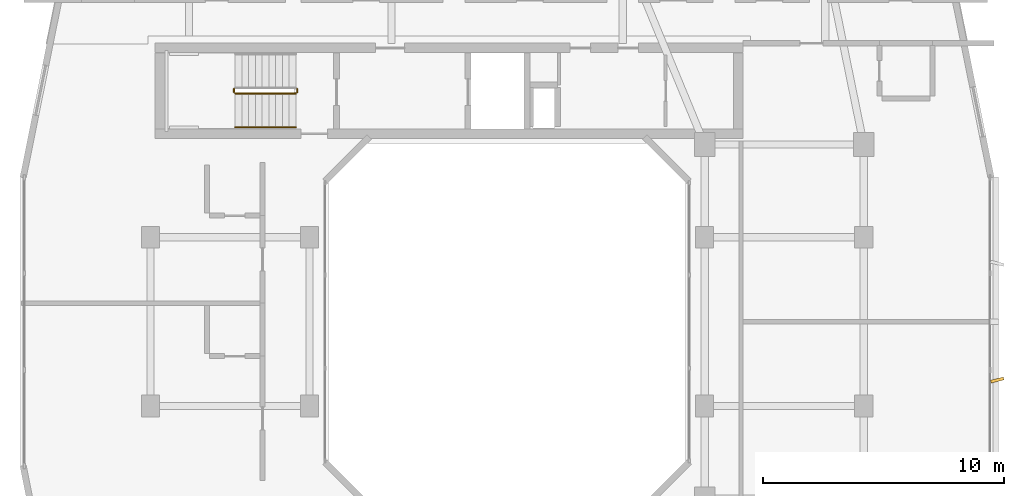
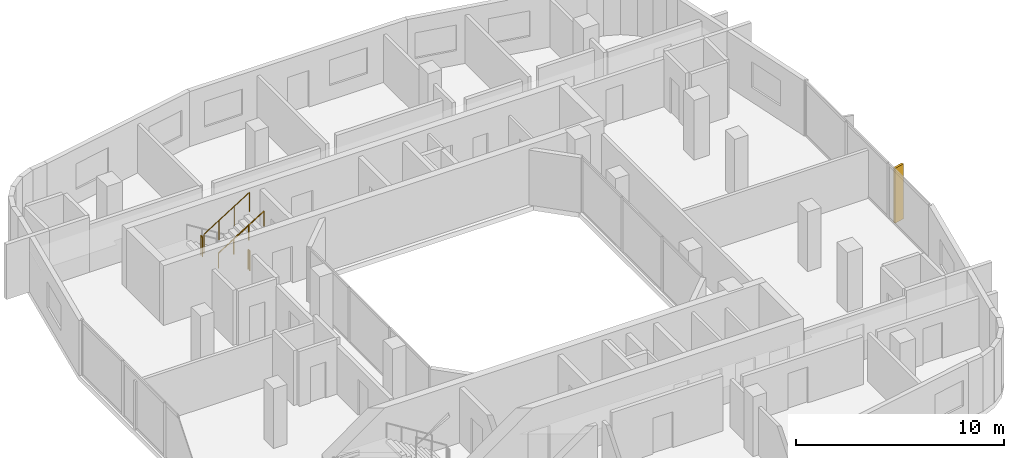
# One storey, part 11 of 12: 4 railings, 1 shading device.
"""IFC4 building model written with IfcOpenShell, lengths in metres."""

from ifc_helpers import new_model, si_unit, derived_unit, direction, frame, origin, origin_2d, place, context, subcontext, project, spatial, rectangle, circle, extrude, material, type_object, element, save


model = new_model("IFC4")

# Units and contexts
model_context = context("Model", 3, precision=1e-05, world=origin(), true_north=direction((0.0, 1.0)))
body_context = subcontext(model_context, "Body", "Model", "MODEL_VIEW")
ifc_project = project(units=[si_unit("LENGTHUNIT", "METRE"), si_unit("AREAUNIT", "SQUARE_METRE"), si_unit("VOLUMEUNIT", "CUBIC_METRE"), si_unit("PLANEANGLEUNIT", "RADIAN"), si_unit("MASSUNIT", "GRAM", prefix="KILO"), derived_unit("THERMALTRANSMITTANCEUNIT", [(si_unit("POWERUNIT", "WATT"), 1), (si_unit("LENGTHUNIT", "METRE"), -2), (si_unit("THERMODYNAMICTEMPERATUREUNIT", "KELVIN"), -1)])], contexts=[model_context])

# Site, building, storey
site_placement = place(None, origin())
site = spatial("IfcSite", under=ifc_project, at=site_placement, CompositionType="ELEMENT")
building_placement = place(site_placement, origin())
building = spatial("IfcBuilding", under=site, at=building_placement, Name="Kivonza Crest Hotel", CompositionType="ELEMENT")
storey_placement = place(building_placement, frame((0.0, 0.0, 166.0)))
storey = spatial("IfcBuildingStorey", under=building, at=storey_placement, Name="L45", CompositionType="ELEMENT", Elevation=166.0)

# Railings
ifc_material_1 = material(Name="Brushed stainless steel handrail", Category="steel")
railing_type_1 = type_object("IfcRailingType", Name="RL-HAND-900", PredefinedType="HANDRAIL", material=ifc_material_1)
railing_1_placement = place(storey_placement, frame((9.719970703125, 33.070068359375, 1.925048828125)))
element("IfcRailing", 1, at=railing_1_placement, inside=storey, type_object=railing_type_1, Name="L45 ST-T1-N stair handrail 2", PredefinedType="HANDRAIL", context=body_context, shape_type="SweptSolid", body=[
    extrude(circle(Radius=0.02392578125, at=origin_2d()), frame((0.0, 0.0, 0.8759765625), z_axis=(0.848007534815, 0.0, 0.529984170421), x_axis=(0.0, 1.0, 0.0)), (0.0, 0.0, 1.0), 2.9716796875),
    extrude(circle(Radius=0.02099609375, at=origin_2d()), origin(), (0.0, 0.0, 1.0), 0.851806640625),
    extrude(circle(Radius=0.02099609375, at=origin_2d()), frame((0.840087890625, 0.0, 0.52490234375)), (0.0, 0.0, 1.0), 0.851806640625),
    extrude(circle(Radius=0.02099609375, at=origin_2d()), frame((1.679931640625, 0.0, 1.050048828125)), (0.0, 0.0, 1.0), 0.851806640625),
    extrude(circle(Radius=0.02099609375, at=origin_2d()), frame((2.52001953125, 0.0, 1.574951171875)), (0.0, 0.0, 1.0), 0.851806640625),
])
ifc_material_2 = material(Name="Painted steel balustrade", Category="steel")
railing_type_2 = type_object("IfcRailingType", Name="RL-STAIR-1150", PredefinedType="BALUSTRADE", material=ifc_material_2)
railing_2_placement = place(storey_placement, frame((9.669921875, 34.659912109375, 1.75)))
element("IfcRailing", 2, at=railing_2_placement, inside=storey, type_object=railing_type_2, Name="L45 ST-T1-N stair guard 2", PredefinedType="BALUSTRADE", context=body_context, shape_type="SweptSolid", body=[
    extrude(circle(Radius=0.02392578125, at=origin_2d()), frame((0.0, 0.0, 1.1259765625), z_axis=(0.0, -1.0, 0.0), x_axis=(1.0, 0.0, 0.0)), (0.0, 0.0, 1.0), 0.139892578125),
    extrude(circle(Radius=0.02099609375, at=origin_2d()), origin(), (0.0, 0.0, 1.0), 1.101806640625),
    extrude(circle(Radius=0.02099609375, at=origin_2d()), frame((0.0, -0.139892578125, 0.0)), (0.0, 0.0, 1.0), 1.101806640625),
])
railing_3_placement = place(storey_placement, frame((9.719970703125, 34.469970703125, 1.925048828125)))
element("IfcRailing", 3, at=railing_3_placement, inside=storey, type_object=railing_type_2, Name="L45 ST-T1-N stair guard 3", PredefinedType="BALUSTRADE", context=body_context, shape_type="SweptSolid", body=[
    extrude(circle(Radius=0.02392578125, at=origin_2d()), frame((0.0, 0.0, 1.1259765625), z_axis=(0.848007534815, 0.0, 0.529984170421), x_axis=(0.0, 1.0, 0.0)), (0.0, 0.0, 1.0), 2.9716796875),
    extrude(circle(Radius=0.02099609375, at=origin_2d()), origin(), (0.0, 0.0, 1.0), 1.101806640625),
    extrude(circle(Radius=0.02099609375, at=origin_2d()), frame((0.840087890625, 0.0, 0.52490234375)), (0.0, 0.0, 1.0), 1.101806640625),
    extrude(circle(Radius=0.02099609375, at=origin_2d()), frame((1.679931640625, 0.0, 1.050048828125)), (0.0, 0.0, 1.0), 1.101806640625),
    extrude(circle(Radius=0.02099609375, at=origin_2d()), frame((2.52001953125, 0.0, 1.574951171875)), (0.0, 0.0, 1.0), 1.101806640625),
])
railing_4_placement = place(storey_placement, frame((12.2900390625, 34.659912109375, 0.0)))
element("IfcRailing", 4, at=railing_4_placement, inside=storey, type_object=railing_type_2, Name="L45 ST-T1-N stair guard 4", PredefinedType="BALUSTRADE", context=body_context, shape_type="SweptSolid", body=[
    extrude(circle(Radius=0.02392578125, at=origin_2d()), frame((0.0, 0.0, 1.1259765625), z_axis=(0.0, -1.0, 0.0), x_axis=(1.0, 0.0, 0.0)), (0.0, 0.0, 1.0), 0.139892578125),
    extrude(circle(Radius=0.02099609375, at=origin_2d()), origin(), (0.0, 0.0, 1.0), 1.101806640625),
    extrude(circle(Radius=0.02099609375, at=origin_2d()), frame((0.0, -0.139892578125, 0.0)), (0.0, 0.0, 1.0), 1.101806640625),
])

# Shading device
ifc_material_3 = material(Name="Kiln-fired terracotta over extruded aluminium spine", Category="masonry")
shading_device_type = type_object("IfcShadingDeviceType", Name="SH-FIN-550", PredefinedType="USERDEFINED", material=ifc_material_3)
shading_device_placement = place(storey_placement, frame((41.340087890625, 22.575927734375, 0.0), z_axis=(0.0, 0.0, 1.0), x_axis=(-0.2419218956, 0.970295726276, 0.0)))
element("IfcShadingDevice", 5, at=shading_device_placement, inside=storey, type_object=shading_device_type, Name="L45 vertical solar shading fin CW-T1-L45-17-1", ObjectType="FIN", PredefinedType="USERDEFINED", context=body_context, shape_type="SweptSolid", body=[
    extrude(rectangle(XDim=0.1201171875, YDim=0.550048828125, at=origin_2d()), origin(), (0.0, 0.0, 1.0), 3.219970703125),
])

save(model, "model.ifc")
